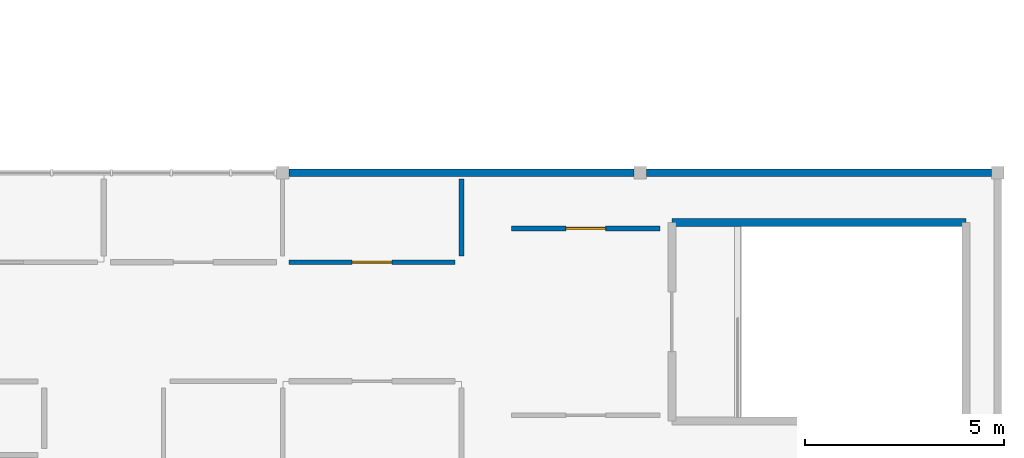
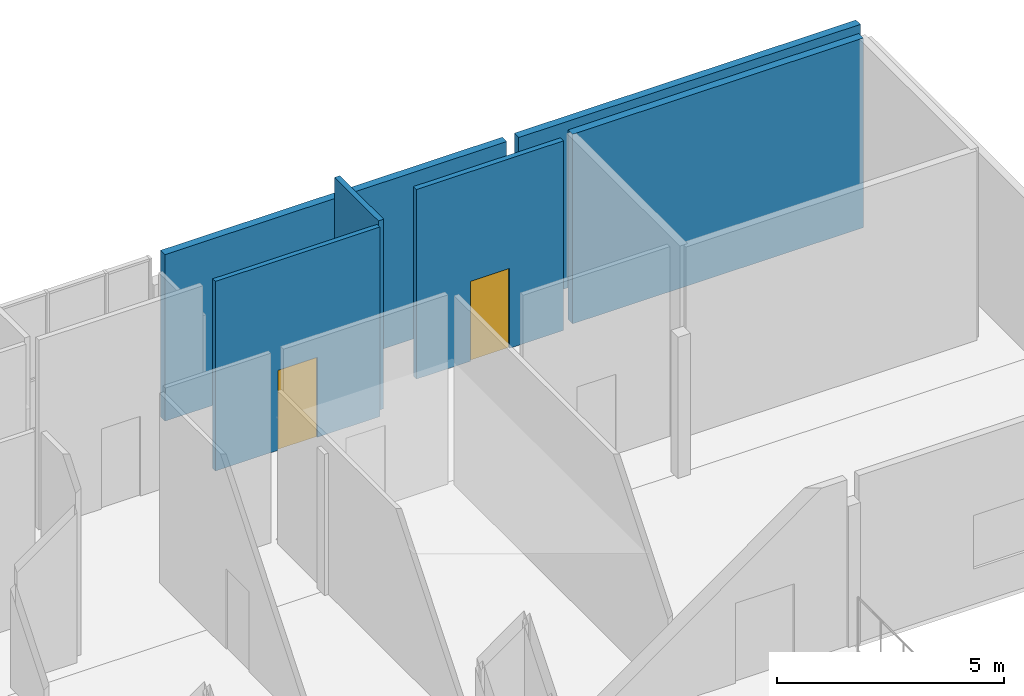
# One storey, part 7 of 8: 6 walls, 2 doors, 2 openings.
"""IFC4 building model written with IfcOpenShell, lengths in metres."""

import ifcopenshell
import ifcopenshell.guid

model = None  # the IFC model being written
_history = None  # IfcOwnerHistory: only IFC2X3 demands one
_inside = {}  # id of a spatial element -> (the spatial element, [elements in it])
_under = {}  # id of a project, library or spatial element -> (it, [spatial elements below it])
_declared = {}  # id of a project -> (the project, [libraries it declares])
_typed = {}  # id of a type object -> (the type object, [elements of that type])
_made_of = {}  # id of a material, layer set ... -> (it, [elements and type objects made of it])


def new_model(schema):
    """Start an empty IFC model of exactly this schema.

    Asked for "IFC4X3", IfcOpenShell would pick the latest addendum, in which some entities
    have other attributes; the version numbers below select the first issue.
    IFC2X3 requires an IfcOwnerHistory on every rooted entity: one is made here for all.
    """
    global model, _history
    if schema == "IFC4X3":
        model = ifcopenshell.file(schema_version=(4, 3, 0, 0))
    else:
        model = ifcopenshell.file(schema=schema)
    _inside.clear()
    _under.clear()
    _declared.clear()
    _typed.clear()
    _made_of.clear()
    _history = None
    if model.schema == "IFC2X3":
        org = make("IfcOrganization", Name="unknown")
        user = make(
            "IfcPersonAndOrganization",
            ThePerson=make("IfcPerson", FamilyName="unknown"),
            TheOrganization=org,
        )
        app = make(
            "IfcApplication",
            ApplicationDeveloper=org,
            Version="unknown",
            ApplicationFullName="unknown",
            ApplicationIdentifier="unknown",
        )
        _history = make(
            "IfcOwnerHistory",
            OwningUser=user,
            OwningApplication=app,
            ChangeAction="ADDED",
            CreationDate=0,
        )
    return model


def make(cls, **values):
    """One entity of the class cls with the attributes given. An attribute that is None is left unset."""
    return model.create_entity(
        cls, **{name: value for name, value in values.items() if value is not None}
    )


def rooted(cls, **values):
    """An entity with a GlobalId (a new one), such as an element, a storey or a relation."""
    return make(cls, GlobalId=ifcopenshell.guid.new(), OwnerHistory=_history, **values)


def si_unit(unit_type, name, prefix=None):
    """IfcSIUnit, for example si_unit("LENGTHUNIT", "METRE", prefix="MILLI")."""
    return make("IfcSIUnit", UnitType=unit_type, Prefix=prefix, Name=name)


def assignment(units):
    """IfcUnitAssignment: the units of a project."""
    return None if units is None else make("IfcUnitAssignment", Units=units)


def point(xyz):
    """IfcCartesianPoint."""
    return None if xyz is None else make("IfcCartesianPoint", Coordinates=xyz)


def direction(xyz):
    """IfcDirection."""
    return None if xyz is None else make("IfcDirection", DirectionRatios=xyz)


def frame(location, z_axis=None, x_axis=None):
    """IfcAxis2Placement3D, a coordinate frame: its origin and axes. An axis left out is left unset."""
    return make(
        "IfcAxis2Placement3D",
        Location=point(location),
        Axis=direction(z_axis),
        RefDirection=direction(x_axis),
    )


def frame_2d(location, x_axis=None):
    """IfcAxis2Placement2D, a coordinate frame in the plane: its origin and x axis."""
    return make(
        "IfcAxis2Placement2D", Location=point(location), RefDirection=direction(x_axis)
    )


def origin():
    """The frame at (0, 0, 0) with its axes left unset."""
    return frame((0.0, 0.0, 0.0))


def place(relative_to, where):
    """IfcLocalPlacement: puts the frame where relative to a parent placement (None: the world)."""
    return make(
        "IfcLocalPlacement", PlacementRelTo=relative_to, RelativePlacement=where
    )


def context(
    kind, dimensions, precision=None, world=None, true_north=None, identifier=None
):
    """IfcGeometricRepresentationContext, for example the 3D "Model" context."""
    return make(
        "IfcGeometricRepresentationContext",
        ContextIdentifier=identifier,
        ContextType=kind,
        CoordinateSpaceDimension=dimensions,
        Precision=precision,
        WorldCoordinateSystem=world,
        TrueNorth=true_north,
    )


def subcontext(parent, identifier, kind, view, scale=None):
    """IfcGeometricRepresentationSubContext, for example "Body" below "Model"."""
    return make(
        "IfcGeometricRepresentationSubContext",
        ContextIdentifier=identifier,
        ContextType=kind,
        ParentContext=parent,
        TargetScale=scale,
        TargetView=view,
    )


def project(units=None, contexts=None):
    """IfcProject with its units and contexts."""
    return rooted(
        "IfcProject",
        Name="project",
        RepresentationContexts=contexts,
        UnitsInContext=assignment(units),
    )


def spatial(cls, under=None, at=None, **own):
    """A site, building, storey or space (cls), placed at a placement, below another one or the project."""
    s = rooted(cls, ObjectPlacement=at, **own)
    if under is not None:
        _under.setdefault(under.id(), (under, []))[1].append(s)
    return s


def profile(cls, at=None, kind="AREA", **sizes):
    """A parametric profile (cls). Its sizes go by their IFC names, for example OverallWidth=200.0."""
    return make(cls, ProfileType=kind, Position=at, **sizes)


def rectangle(**sizes):
    """IfcRectangleProfileDef."""
    return profile("IfcRectangleProfileDef", **sizes)


def extrude(swept, where, along, depth):
    """IfcExtrudedAreaSolid: the profile swept, set in the frame where, extruded along a direction by depth."""
    return make(
        "IfcExtrudedAreaSolid",
        SweptArea=swept,
        Position=where,
        ExtrudedDirection=direction(along),
        Depth=depth,
    )


def shape(context_of_items, identifier, shape_type, items):
    """IfcShapeRepresentation: the items that make up one representation, for example the "Body"."""
    return make(
        "IfcShapeRepresentation",
        ContextOfItems=context_of_items,
        RepresentationIdentifier=identifier,
        RepresentationType=shape_type,
        Items=items,
    )


def material(Name=None, Category=None):
    """IfcMaterial."""
    return make("IfcMaterial", Name=Name, Category=Category)


def layer(
    of_material, thickness, ventilated=None, Name=None, Category=None, Priority=None
):
    """IfcMaterialLayer: one layer of a wall or slab, of a material (None: an air gap)."""
    return make(
        "IfcMaterialLayer",
        Material=of_material,
        LayerThickness=thickness,
        IsVentilated=ventilated,
        Name=Name,
        Category=Category,
        Priority=Priority,
    )


def layer_set(layers, Name=None):
    """IfcMaterialLayerSet."""
    return make("IfcMaterialLayerSet", MaterialLayers=layers, LayerSetName=Name)


def made_of(thing, what):
    """Note that an element or type object is made of a material, layer set ...; save() writes the relation."""
    if what is not None:
        _made_of.setdefault(what.id(), (what, []))[1].append(thing)
    return thing


def type_object(cls, material=None, **own):
    """A type object (cls), such as IfcWallType, which elements share."""
    return made_of(rooted(cls, **own), material)


def element(
    cls,
    number,
    at=None,
    inside=None,
    cuts=None,
    type_object=None,
    material=None,
    context=None,
    identifier="Body",
    shape_type=None,
    held_by="IfcProductDefinitionShape",
    body=None,
    shapes=None,
    **own,
):
    """One element of the class cls, such as IfcWall. Its Tag is "e" and its number.

    at: its placement. inside: the storey or other place that contains it. cuts: it is an
    opening in that element (IfcRelVoidsElement). A single representation is given by context,
    identifier, shape_type and body (its items); several are given by shapes. held_by: the class
    of the entity that holds the representations. save() writes the other relations.
    """
    e = rooted(cls, Tag="e%d" % number, ObjectPlacement=at, **own)
    if body is not None:
        shapes = [shape(context, identifier, shape_type, body)]
    if shapes is not None:
        e.Representation = make(held_by, Representations=shapes)
    if inside is not None:
        _inside.setdefault(inside.id(), (inside, []))[1].append(e)
    if cuts is not None:
        rooted(
            "IfcRelVoidsElement", RelatingBuildingElement=cuts, RelatedOpeningElement=e
        )
    if type_object is not None:
        _typed.setdefault(type_object.id(), (type_object, []))[1].append(e)
    return made_of(e, material)


def fill(opening, filler):
    """IfcRelFillsElement: the door or window that sits in an opening."""
    return rooted(
        "IfcRelFillsElement",
        RelatingOpeningElement=opening,
        RelatedBuildingElement=filler,
    )


def aggregate(whole, parts):
    """IfcRelAggregates: a whole, such as a stair, and the parts it consists of."""
    return rooted("IfcRelAggregates", RelatingObject=whole, RelatedObjects=parts)


def save(model, path):
    """Write the relations noted so far, then the file.

    IfcRelAggregates (storeys below a building ...), IfcRelContainedInSpatialStructure (elements
    in a storey), IfcRelDefinesByType, IfcRelAssociatesMaterial and IfcRelDeclares: one each for
    every whole, place, type object, material and project.
    """
    for whole, parts in _under.values():
        aggregate(whole, parts)
    for where, things in _inside.values():
        rooted(
            "IfcRelContainedInSpatialStructure",
            RelatedElements=things,
            RelatingStructure=where,
        )
    for kind, things in _typed.values():
        rooted("IfcRelDefinesByType", RelatedObjects=things, RelatingType=kind)
    for what, things in _made_of.values():
        rooted("IfcRelAssociatesMaterial", RelatedObjects=things, RelatingMaterial=what)
    for by, libraries in _declared.values():
        rooted("IfcRelDeclares", RelatingContext=by, RelatedDefinitions=libraries)
    model.write(path)


model = new_model("IFC4")

# Units and contexts
model_context = context("Model", 3, precision=1e-05, world=origin(), true_north=direction((0.0, 1.0)))
body_context = subcontext(model_context, "Body", "Model", "MODEL_VIEW")
ifc_project = project(units=[si_unit("LENGTHUNIT", "METRE"), si_unit("AREAUNIT", "SQUARE_METRE"), si_unit("VOLUMEUNIT", "CUBIC_METRE"), si_unit("PLANEANGLEUNIT", "RADIAN"), si_unit("MASSUNIT", "GRAM", prefix="KILO")], contexts=[model_context])

# Site, building, storey
site_placement = place(None, origin())
site = spatial("IfcSite", under=ifc_project, at=site_placement, CompositionType="ELEMENT")
building_placement = place(site_placement, origin())
building = spatial("IfcBuilding", under=site, at=building_placement, Name="Marnridge Secondary College", CompositionType="ELEMENT")
storey_placement = place(building_placement, frame((0.0, 0.0, 19.89990234375)))
storey = spatial("IfcBuildingStorey", under=building, at=storey_placement, Name="L05", CompositionType="ELEMENT", Elevation=19.89990234375)

# Walls
ifc_material_1 = material(Name="Concrete C40/50 (AS 3600 N40, 40 MPa)", Category="concrete")
ifc_layer_1 = layer(ifc_material_1, 0.199951171875)
ifc_layer_set_1 = layer_set([ifc_layer_1], Name="WT-CORE-RC200")
wall_type_1 = type_object("IfcWallType", Name="WT-CORE-RC200", PredefinedType="SHEAR", material=ifc_layer_set_1)
wall_1_placement = place(storey_placement, frame((89.199951171875, 66.25, 0.0), z_axis=(0.0, 0.0, 1.0), x_axis=(-1.0, 0.0, 0.0)))
element("IfcWall", 1, at=wall_1_placement, inside=storey, type_object=wall_type_1, Name="Stair core shear wall WC-L05-0295", PredefinedType="SHEAR", context=body_context, shape_type="SweptSolid", body=[
    extrude(rectangle(XDim=7.39990234375, YDim=0.199951171875, at=frame_2d((3.699951171875, 0.0))), origin(), (0.0, 0.0, 1.0), 5.10009765625),
])
ifc_material_2 = material(Name="Cross-laminated timber CL5", Category="wood")
ifc_layer_2 = layer(ifc_material_2, 0.195068359375)
ifc_layer_set_2 = layer_set([ifc_layer_2], Name="WT-EXT-CLT195")
wall_type_2 = type_object("IfcWallType", Name="WT-EXT-CLT195", PredefinedType="SOLIDWALL", material=ifc_layer_set_2)
for number, where, z_axis, x_axis, name in (
    (2, (72.153564453125, 67.5, 0.0), (0.0, 0.0, 1.0), (1.0, 0.0, 0.0), "Exterior wall WE-L05-0219"),
    (3, (81.153564453125, 67.5, 0.0), (0.0, 0.0, 1.0), (1.0, 0.0, 0.0), "Exterior wall WE-L05-0220"),
):
    element("IfcWall", number, at=place(storey_placement, frame(where, z_axis=z_axis, x_axis=x_axis)), inside=storey, type_object=wall_type_2, Name=name, PredefinedType="SOLIDWALL", context=body_context, shape_type="SweptSolid", body=[
        extrude(rectangle(XDim=8.69287109375, YDim=0.195068359375, at=frame_2d((4.346435546875, 0.0))), origin(), (0.0, 0.0, 1.0), 4.48046875),
    ])

# Wall, opening, door
ifc_material_3 = material(Name="Acoustic plasterboard partition Rw45", Category="gypsum")
ifc_layer_3 = layer(ifc_material_3, 0.1201171875)
ifc_layer_set_3 = layer_set([ifc_layer_3], Name="WT-PART-AC120")
wall_type_3 = type_object("IfcWallType", Name="WT-PART-AC120", PredefinedType="PARTITIONING", material=ifc_layer_set_3)
wall_2_placement = place(storey_placement, frame((72.159912109375, 65.25, 0.0), z_axis=(0.0, 0.0, 1.0), x_axis=(1.0, 0.0, 0.0)))
wall_2 = element("IfcWall", 4, at=wall_2_placement, inside=storey, type_object=wall_type_3, Name="Interior partition WP-L05-0477", PredefinedType="PARTITIONING", context=body_context, shape_type="SweptSolid", body=[
    extrude(rectangle(XDim=4.18017578125, YDim=0.1201171875, at=frame_2d((2.090087890625, 0.0))), origin(), (0.0, 0.0, 1.0), 5.10009765625),
])
opening_1_placement = place(wall_2_placement, frame((1.590087890625, 0.0, 0.0)))
opening_1 = element("IfcOpeningElement", 5, at=opening_1_placement, cuts=wall_2, Name="Opening DI-L05-0178", PredefinedType="OPENING", context=body_context, shape_type="SweptSolid", body=[
    extrude(rectangle(XDim=1.0, YDim=2.14990234375, at=frame_2d((0.5, 1.074951171875))), frame((0.0, 0.070068359375, 0.0), z_axis=(0.0, -1.0, 0.0), x_axis=(1.0, 0.0, 0.0)), (0.0, 0.0, 1.0), 0.14013671875),
])
ifc_material_4 = material(Name="Solid-core acoustic hoop-pine classroom doorset", Category="wood")
door_type = type_object("IfcDoorType", Name="DT-CLS-100", OperationType="NOTDEFINED", PredefinedType="DOOR", material=ifc_material_4)
door_1_placement = place(opening_1_placement, origin())
door_1 = element("IfcDoor", 6, at=door_1_placement, inside=storey, type_object=door_type, Name="Interior door DI-L05-0178", OperationType="SINGLE_SWING_RIGHT", OverallHeight=2.14990234375, OverallWidth=1.0, PredefinedType="DOOR", context=body_context, shape_type="SweptSolid", body=[
    extrude(rectangle(XDim=1.0, YDim=2.14990234375, at=frame_2d((0.5, 1.074951171875))), frame((0.0, 0.02490234375, 0.0), z_axis=(0.0, -1.0, 0.0), x_axis=(1.0, 0.0, 0.0)), (0.0, 0.0, 1.0), 0.050048828125),
])
fill(opening_1, door_1)

ifc_material_5 = material(Name="Acoustic plasterboard partition Rw48", Category="gypsum")
ifc_layer_4 = layer(ifc_material_5, 0.135009765625)
ifc_layer_set_4 = layer_set([ifc_layer_4], Name="WT-PART-AC135")
wall_type_4 = type_object("IfcWallType", Name="WT-PART-AC135", PredefinedType="PARTITIONING", material=ifc_layer_set_4)
wall_3_placement = place(storey_placement, frame((77.760009765625, 66.10009765625, 0.0), z_axis=(0.0, 0.0, 1.0), x_axis=(1.0, 0.0, 0.0)))
wall_3 = element("IfcWall", 7, at=wall_3_placement, inside=storey, type_object=wall_type_4, Name="Interior partition WP-L05-0478", PredefinedType="PARTITIONING", context=body_context, shape_type="SweptSolid", body=[
    extrude(rectangle(XDim=3.739990234375, YDim=0.135009765625, at=frame_2d((1.8701171875, 0.0))), origin(), (0.0, 0.0, 1.0), 5.10009765625),
])
opening_2_placement = place(wall_3_placement, frame((1.3701171875, 0.0, 0.0)))
opening_2 = element("IfcOpeningElement", 8, at=opening_2_placement, cuts=wall_3, Name="Opening DI-L05-0179", PredefinedType="OPENING", context=body_context, shape_type="SweptSolid", body=[
    extrude(rectangle(XDim=1.0, YDim=2.14990234375, at=frame_2d((0.5, 1.074951171875))), frame((0.0, 0.077392578125, 0.0), z_axis=(0.0, -1.0, 0.0), x_axis=(1.0, 0.0, 0.0)), (0.0, 0.0, 1.0), 0.155029296875),
])
door_2_placement = place(opening_2_placement, origin())
door_2 = element("IfcDoor", 9, at=door_2_placement, inside=storey, type_object=door_type, Name="Interior door DI-L05-0179", OperationType="SINGLE_SWING_LEFT", OverallHeight=2.14990234375, OverallWidth=1.0, PredefinedType="DOOR", context=body_context, shape_type="SweptSolid", body=[
    extrude(rectangle(XDim=1.0, YDim=2.14990234375, at=frame_2d((0.5, 1.074951171875))), frame((0.0, 0.02490234375, 0.0), z_axis=(0.0, -1.0, 0.0), x_axis=(1.0, 0.0, 0.0)), (0.0, 0.0, 1.0), 0.050048828125),
])
fill(opening_2, door_2)

# Wall
wall_4_placement = place(storey_placement, frame((76.5, 65.409912109375, 0.0), z_axis=(0.0, 0.0, 1.0), x_axis=(0.0, 1.0, 0.0)))
element("IfcWall", 10, at=wall_4_placement, inside=storey, type_object=wall_type_4, Name="Interior partition WP-L05-0484", PredefinedType="PARTITIONING", context=body_context, shape_type="SweptSolid", body=[
    extrude(rectangle(XDim=1.93017578125, YDim=0.135009765625, at=frame_2d((0.965087890625, 0.0))), origin(), (0.0, 0.0, 1.0), 5.10009765625),
])

save(model, "model.ifc")
